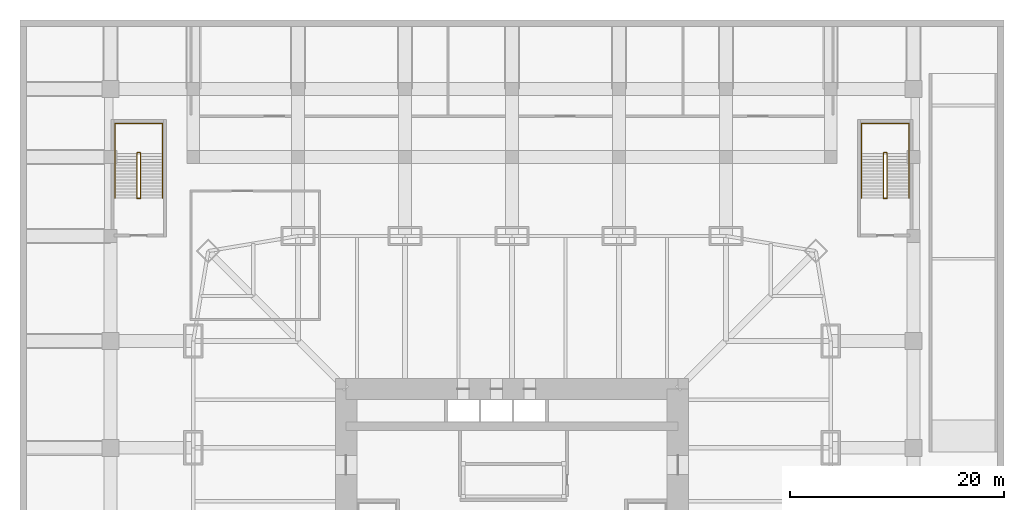
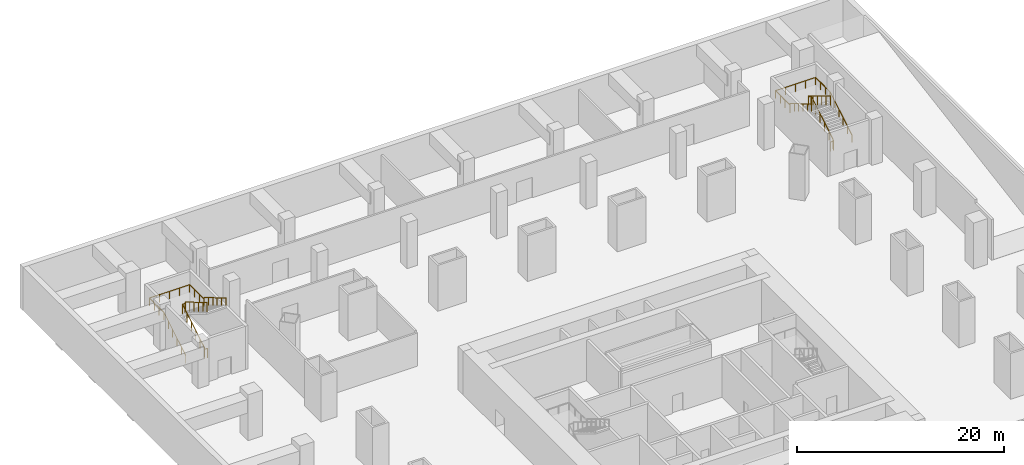
# One storey, part 12 of 12: 4 railings.
"""IFC4 building model written with IfcOpenShell, lengths in metres."""

import ifcopenshell
import ifcopenshell.guid

model = None  # the IFC model being written
_history = None  # IfcOwnerHistory: only IFC2X3 demands one
_inside = {}  # id of a spatial element -> (the spatial element, [elements in it])
_under = {}  # id of a project, library or spatial element -> (it, [spatial elements below it])
_declared = {}  # id of a project -> (the project, [libraries it declares])
_typed = {}  # id of a type object -> (the type object, [elements of that type])
_made_of = {}  # id of a material, layer set ... -> (it, [elements and type objects made of it])


def new_model(schema):
    """Start an empty IFC model of exactly this schema.

    Asked for "IFC4X3", IfcOpenShell would pick the latest addendum, in which some entities
    have other attributes; the version numbers below select the first issue.
    IFC2X3 requires an IfcOwnerHistory on every rooted entity: one is made here for all.
    """
    global model, _history
    if schema == "IFC4X3":
        model = ifcopenshell.file(schema_version=(4, 3, 0, 0))
    else:
        model = ifcopenshell.file(schema=schema)
    _inside.clear()
    _under.clear()
    _declared.clear()
    _typed.clear()
    _made_of.clear()
    _history = None
    if model.schema == "IFC2X3":
        org = make("IfcOrganization", Name="unknown")
        user = make(
            "IfcPersonAndOrganization",
            ThePerson=make("IfcPerson", FamilyName="unknown"),
            TheOrganization=org,
        )
        app = make(
            "IfcApplication",
            ApplicationDeveloper=org,
            Version="unknown",
            ApplicationFullName="unknown",
            ApplicationIdentifier="unknown",
        )
        _history = make(
            "IfcOwnerHistory",
            OwningUser=user,
            OwningApplication=app,
            ChangeAction="ADDED",
            CreationDate=0,
        )
    return model


def make(cls, **values):
    """One entity of the class cls with the attributes given. An attribute that is None is left unset."""
    return model.create_entity(
        cls, **{name: value for name, value in values.items() if value is not None}
    )


def rooted(cls, **values):
    """An entity with a GlobalId (a new one), such as an element, a storey or a relation."""
    return make(cls, GlobalId=ifcopenshell.guid.new(), OwnerHistory=_history, **values)


def si_unit(unit_type, name, prefix=None):
    """IfcSIUnit, for example si_unit("LENGTHUNIT", "METRE", prefix="MILLI")."""
    return make("IfcSIUnit", UnitType=unit_type, Prefix=prefix, Name=name)


def assignment(units):
    """IfcUnitAssignment: the units of a project."""
    return None if units is None else make("IfcUnitAssignment", Units=units)


def point(xyz):
    """IfcCartesianPoint."""
    return None if xyz is None else make("IfcCartesianPoint", Coordinates=xyz)


def direction(xyz):
    """IfcDirection."""
    return None if xyz is None else make("IfcDirection", DirectionRatios=xyz)


def frame(location, z_axis=None, x_axis=None):
    """IfcAxis2Placement3D, a coordinate frame: its origin and axes. An axis left out is left unset."""
    return make(
        "IfcAxis2Placement3D",
        Location=point(location),
        Axis=direction(z_axis),
        RefDirection=direction(x_axis),
    )


def frame_2d(location, x_axis=None):
    """IfcAxis2Placement2D, a coordinate frame in the plane: its origin and x axis."""
    return make(
        "IfcAxis2Placement2D", Location=point(location), RefDirection=direction(x_axis)
    )


def origin():
    """The frame at (0, 0, 0) with its axes left unset."""
    return frame((0.0, 0.0, 0.0))


def origin_2d():
    """The frame at (0, 0) in the plane with its x axis left unset."""
    return frame_2d((0.0, 0.0))


def place(relative_to, where):
    """IfcLocalPlacement: puts the frame where relative to a parent placement (None: the world)."""
    return make(
        "IfcLocalPlacement", PlacementRelTo=relative_to, RelativePlacement=where
    )


def context(
    kind, dimensions, precision=None, world=None, true_north=None, identifier=None
):
    """IfcGeometricRepresentationContext, for example the 3D "Model" context."""
    return make(
        "IfcGeometricRepresentationContext",
        ContextIdentifier=identifier,
        ContextType=kind,
        CoordinateSpaceDimension=dimensions,
        Precision=precision,
        WorldCoordinateSystem=world,
        TrueNorth=true_north,
    )


def subcontext(parent, identifier, kind, view, scale=None):
    """IfcGeometricRepresentationSubContext, for example "Body" below "Model"."""
    return make(
        "IfcGeometricRepresentationSubContext",
        ContextIdentifier=identifier,
        ContextType=kind,
        ParentContext=parent,
        TargetScale=scale,
        TargetView=view,
    )


def project(units=None, contexts=None):
    """IfcProject with its units and contexts."""
    return rooted(
        "IfcProject",
        Name="project",
        RepresentationContexts=contexts,
        UnitsInContext=assignment(units),
    )


def spatial(cls, under=None, at=None, **own):
    """A site, building, storey or space (cls), placed at a placement, below another one or the project."""
    s = rooted(cls, ObjectPlacement=at, **own)
    if under is not None:
        _under.setdefault(under.id(), (under, []))[1].append(s)
    return s


def profile(cls, at=None, kind="AREA", **sizes):
    """A parametric profile (cls). Its sizes go by their IFC names, for example OverallWidth=200.0."""
    return make(cls, ProfileType=kind, Position=at, **sizes)


def circle(**sizes):
    """IfcCircleProfileDef."""
    return profile("IfcCircleProfileDef", **sizes)


def extrude(swept, where, along, depth):
    """IfcExtrudedAreaSolid: the profile swept, set in the frame where, extruded along a direction by depth."""
    return make(
        "IfcExtrudedAreaSolid",
        SweptArea=swept,
        Position=where,
        ExtrudedDirection=direction(along),
        Depth=depth,
    )


def shape(context_of_items, identifier, shape_type, items):
    """IfcShapeRepresentation: the items that make up one representation, for example the "Body"."""
    return make(
        "IfcShapeRepresentation",
        ContextOfItems=context_of_items,
        RepresentationIdentifier=identifier,
        RepresentationType=shape_type,
        Items=items,
    )


def material(Name=None, Category=None):
    """IfcMaterial."""
    return make("IfcMaterial", Name=Name, Category=Category)


def made_of(thing, what):
    """Note that an element or type object is made of a material, layer set ...; save() writes the relation."""
    if what is not None:
        _made_of.setdefault(what.id(), (what, []))[1].append(thing)
    return thing


def type_object(cls, material=None, **own):
    """A type object (cls), such as IfcWallType, which elements share."""
    return made_of(rooted(cls, **own), material)


def element(
    cls,
    number,
    at=None,
    inside=None,
    cuts=None,
    type_object=None,
    material=None,
    context=None,
    identifier="Body",
    shape_type=None,
    held_by="IfcProductDefinitionShape",
    body=None,
    shapes=None,
    **own,
):
    """One element of the class cls, such as IfcWall. Its Tag is "e" and its number.

    at: its placement. inside: the storey or other place that contains it. cuts: it is an
    opening in that element (IfcRelVoidsElement). A single representation is given by context,
    identifier, shape_type and body (its items); several are given by shapes. held_by: the class
    of the entity that holds the representations. save() writes the other relations.
    """
    e = rooted(cls, Tag="e%d" % number, ObjectPlacement=at, **own)
    if body is not None:
        shapes = [shape(context, identifier, shape_type, body)]
    if shapes is not None:
        e.Representation = make(held_by, Representations=shapes)
    if inside is not None:
        _inside.setdefault(inside.id(), (inside, []))[1].append(e)
    if cuts is not None:
        rooted(
            "IfcRelVoidsElement", RelatingBuildingElement=cuts, RelatedOpeningElement=e
        )
    if type_object is not None:
        _typed.setdefault(type_object.id(), (type_object, []))[1].append(e)
    return made_of(e, material)


def aggregate(whole, parts):
    """IfcRelAggregates: a whole, such as a stair, and the parts it consists of."""
    return rooted("IfcRelAggregates", RelatingObject=whole, RelatedObjects=parts)


def save(model, path):
    """Write the relations noted so far, then the file.

    IfcRelAggregates (storeys below a building ...), IfcRelContainedInSpatialStructure (elements
    in a storey), IfcRelDefinesByType, IfcRelAssociatesMaterial and IfcRelDeclares: one each for
    every whole, place, type object, material and project.
    """
    for whole, parts in _under.values():
        aggregate(whole, parts)
    for where, things in _inside.values():
        rooted(
            "IfcRelContainedInSpatialStructure",
            RelatedElements=things,
            RelatingStructure=where,
        )
    for kind, things in _typed.values():
        rooted("IfcRelDefinesByType", RelatedObjects=things, RelatingType=kind)
    for what, things in _made_of.values():
        rooted("IfcRelAssociatesMaterial", RelatedObjects=things, RelatingMaterial=what)
    for by, libraries in _declared.values():
        rooted("IfcRelDeclares", RelatingContext=by, RelatedDefinitions=libraries)
    model.write(path)


model = new_model("IFC4")

# Units and contexts
model_context = context("Model", 3, precision=1e-05, world=origin(), true_north=direction((0.0, 1.0)))
body_context = subcontext(model_context, "Body", "Model", "MODEL_VIEW")
ifc_project = project(units=[si_unit("LENGTHUNIT", "METRE"), si_unit("AREAUNIT", "SQUARE_METRE"), si_unit("VOLUMEUNIT", "CUBIC_METRE"), si_unit("PLANEANGLEUNIT", "RADIAN"), si_unit("MASSUNIT", "GRAM", prefix="KILO")], contexts=[model_context])

# Site, building, storey
site_placement = place(None, origin())
site = spatial("IfcSite", under=ifc_project, at=site_placement, CompositionType="ELEMENT")
building_placement = place(site_placement, origin())
building = spatial("IfcBuilding", under=site, at=building_placement, Name="Khuree Lantern Residences", CompositionType="ELEMENT")
storey_placement = place(building_placement, frame((0.0, 0.0, -5.39990234375)))
storey = spatial("IfcBuildingStorey", under=building, at=storey_placement, Name="B1", CompositionType="ELEMENT", Elevation=-5.39990234375)

# Railings
ifc_material = material(Name="Steel S355", Category="steel")
railing_type_1 = type_object("IfcRailingType", Name="STAIR GUARD G1 1100", PredefinedType="GUARDRAIL", material=ifc_material)
railing_1_placement = place(storey_placement, frame((-34.75, 33.2900390625, 0.0)))
element("IfcRailing", 1, at=railing_1_placement, inside=storey, type_object=railing_type_1, Name="Stair ST3 guard", PredefinedType="GUARDRAIL", context=body_context, shape_type="SweptSolid", body=[
    extrude(circle(Radius=0.02392578125, at=origin_2d()), frame((0.0, 0.0, 1.076171875), z_axis=(-1.0, 0.0, 0.0), x_axis=(0.0, -1.0, 0.0)), (0.0, 0.0, 1.0), 0.300048828125),
    extrude(circle(Radius=0.02392578125, at=origin_2d()), frame((-0.300048828125, 0.0, 1.076171875), z_axis=(0.0, 0.284418981683, 0.958700079722), x_axis=(-1.0, 0.0, 0.0)), (0.0, 0.0, 1.0), 0.176025390625),
    extrude(circle(Radius=0.02392578125, at=origin_2d()), frame((-0.300048828125, 0.050048828125, 1.24462890625), z_axis=(0.0, 0.856476492594, 0.516186030065), x_axis=(-1.0, 0.0, 0.0)), (0.0, 0.0, 1.0), 4.90380859375),
    extrude(circle(Radius=0.02392578125, at=origin_2d()), frame((-0.300048828125, 4.25, 3.77587890625), z_axis=(0.0, 1.0, 0.0), x_axis=(-1.0, 0.0, 0.0)), (0.0, 0.0, 1.0), 0.050048828125),
    extrude(circle(Radius=0.02392578125, at=origin_2d()), frame((-0.300048828125, 4.300048828125, 3.77587890625), z_axis=(1.0, 0.0, 0.0), x_axis=(0.0, 1.0, 0.0)), (0.0, 0.0, 1.0), 0.300048828125),
    extrude(circle(Radius=0.02392578125, at=origin_2d()), frame((0.0, 4.300048828125, 3.77587890625), z_axis=(0.0, -0.284418981683, 0.958700079722), x_axis=(1.0, 0.0, 0.0)), (0.0, 0.0, 1.0), 0.176025390625),
    extrude(circle(Radius=0.02392578125, at=origin_2d()), frame((0.0, 4.25, 3.94482421875), z_axis=(0.0, -0.856476492594, 0.516186030065), x_axis=(1.0, 0.0, 0.0)), (0.0, 0.0, 1.0), 4.90380859375),
    extrude(circle(Radius=0.02099609375, at=origin_2d()), origin(), (0.0, 0.0, 1.0), 1.052001953125),
    extrude(circle(Radius=0.02099609375, at=origin_2d()), frame((-0.300048828125, 0.0, 0.0)), (0.0, 0.0, 1.0), 1.052001953125),
    extrude(circle(Radius=0.02099609375, at=origin_2d()), frame((-0.300048828125, 0.050048828125, 0.168701171875)), (0.0, 0.0, 1.0), 1.052001953125),
    extrude(circle(Radius=0.02099609375, at=origin_2d()), frame((-0.300048828125, 0.89013671875, 0.675048828125)), (0.0, 0.0, 1.0), 1.052001953125),
    extrude(circle(Radius=0.02099609375, at=origin_2d()), frame((-0.300048828125, 1.72998046875, 1.18115234375)), (0.0, 0.0, 1.0), 1.052001953125),
    extrude(circle(Radius=0.02099609375, at=origin_2d()), frame((-0.300048828125, 2.570068359375, 1.6875)), (0.0, 0.0, 1.0), 1.052001953125),
    extrude(circle(Radius=0.02099609375, at=origin_2d()), frame((-0.300048828125, 3.409912109375, 2.193603515625)), (0.0, 0.0, 1.0), 1.052001953125),
    extrude(circle(Radius=0.02099609375, at=origin_2d()), frame((-0.300048828125, 4.25, 2.699951171875)), (0.0, 0.0, 1.0), 1.052001953125),
    extrude(circle(Radius=0.02099609375, at=origin_2d()), frame((-0.300048828125, 4.300048828125, 2.699951171875)), (0.0, 0.0, 1.0), 1.052001953125),
    extrude(circle(Radius=0.02099609375, at=origin_2d()), frame((0.0, 4.300048828125, 2.699951171875)), (0.0, 0.0, 1.0), 1.052001953125),
    extrude(circle(Radius=0.02099609375, at=origin_2d()), frame((0.0, 4.25, 2.86865234375)), (0.0, 0.0, 1.0), 1.052001953125),
    extrude(circle(Radius=0.02099609375, at=origin_2d()), frame((0.0, 3.409912109375, 3.375)), (0.0, 0.0, 1.0), 1.052001953125),
    extrude(circle(Radius=0.02099609375, at=origin_2d()), frame((0.0, 2.570068359375, 3.881103515625)), (0.0, 0.0, 1.0), 1.052001953125),
    extrude(circle(Radius=0.02099609375, at=origin_2d()), frame((0.0, 1.72998046875, 4.387451171875)), (0.0, 0.0, 1.0), 1.052001953125),
    extrude(circle(Radius=0.02099609375, at=origin_2d()), frame((0.0, 0.89013671875, 4.8935546875)), (0.0, 0.0, 1.0), 1.052001953125),
    extrude(circle(Radius=0.02099609375, at=origin_2d()), frame((0.0, 0.050048828125, 5.39990234375)), (0.0, 0.0, 1.0), 1.052001953125),
])
railing_2_placement = place(storey_placement, frame((34.75, 33.2900390625, 0.0)))
element("IfcRailing", 2, at=railing_2_placement, inside=storey, type_object=railing_type_1, Name="Stair ST4 guard", PredefinedType="GUARDRAIL", context=body_context, shape_type="SweptSolid", body=[
    extrude(circle(Radius=0.02392578125, at=origin_2d()), frame((0.0, 0.0, 1.076171875), z_axis=(1.0, 0.0, 0.0), x_axis=(0.0, 1.0, 0.0)), (0.0, 0.0, 1.0), 0.300048828125),
    extrude(circle(Radius=0.02392578125, at=origin_2d()), frame((0.300048828125, 0.0, 1.076171875), z_axis=(0.0, 0.284418981683, 0.958700079722), x_axis=(-1.0, 0.0, 0.0)), (0.0, 0.0, 1.0), 0.176025390625),
    extrude(circle(Radius=0.02392578125, at=origin_2d()), frame((0.300048828125, 0.050048828125, 1.24462890625), z_axis=(0.0, 0.856476492594, 0.516186030065), x_axis=(-1.0, 0.0, 0.0)), (0.0, 0.0, 1.0), 4.90380859375),
    extrude(circle(Radius=0.02392578125, at=origin_2d()), frame((0.300048828125, 4.25, 3.77587890625), z_axis=(0.0, 1.0, 0.0), x_axis=(-1.0, 0.0, 0.0)), (0.0, 0.0, 1.0), 0.050048828125),
    extrude(circle(Radius=0.02392578125, at=origin_2d()), frame((0.300048828125, 4.300048828125, 3.77587890625), z_axis=(-1.0, 0.0, 0.0), x_axis=(0.0, -1.0, 0.0)), (0.0, 0.0, 1.0), 0.300048828125),
    extrude(circle(Radius=0.02392578125, at=origin_2d()), frame((0.0, 4.300048828125, 3.77587890625), z_axis=(0.0, -0.284418981683, 0.958700079722), x_axis=(1.0, 0.0, 0.0)), (0.0, 0.0, 1.0), 0.176025390625),
    extrude(circle(Radius=0.02392578125, at=origin_2d()), frame((0.0, 4.25, 3.94482421875), z_axis=(0.0, -0.856476492594, 0.516186030065), x_axis=(1.0, 0.0, 0.0)), (0.0, 0.0, 1.0), 4.90380859375),
    extrude(circle(Radius=0.02099609375, at=origin_2d()), origin(), (0.0, 0.0, 1.0), 1.052001953125),
    extrude(circle(Radius=0.02099609375, at=origin_2d()), frame((0.300048828125, 0.0, 0.0)), (0.0, 0.0, 1.0), 1.052001953125),
    extrude(circle(Radius=0.02099609375, at=origin_2d()), frame((0.300048828125, 0.050048828125, 0.168701171875)), (0.0, 0.0, 1.0), 1.052001953125),
    extrude(circle(Radius=0.02099609375, at=origin_2d()), frame((0.300048828125, 0.89013671875, 0.675048828125)), (0.0, 0.0, 1.0), 1.052001953125),
    extrude(circle(Radius=0.02099609375, at=origin_2d()), frame((0.300048828125, 1.72998046875, 1.18115234375)), (0.0, 0.0, 1.0), 1.052001953125),
    extrude(circle(Radius=0.02099609375, at=origin_2d()), frame((0.300048828125, 2.570068359375, 1.6875)), (0.0, 0.0, 1.0), 1.052001953125),
    extrude(circle(Radius=0.02099609375, at=origin_2d()), frame((0.300048828125, 3.409912109375, 2.193603515625)), (0.0, 0.0, 1.0), 1.052001953125),
    extrude(circle(Radius=0.02099609375, at=origin_2d()), frame((0.300048828125, 4.25, 2.699951171875)), (0.0, 0.0, 1.0), 1.052001953125),
    extrude(circle(Radius=0.02099609375, at=origin_2d()), frame((0.300048828125, 4.300048828125, 2.699951171875)), (0.0, 0.0, 1.0), 1.052001953125),
    extrude(circle(Radius=0.02099609375, at=origin_2d()), frame((0.0, 4.300048828125, 2.699951171875)), (0.0, 0.0, 1.0), 1.052001953125),
    extrude(circle(Radius=0.02099609375, at=origin_2d()), frame((0.0, 4.25, 2.86865234375)), (0.0, 0.0, 1.0), 1.052001953125),
    extrude(circle(Radius=0.02099609375, at=origin_2d()), frame((0.0, 3.409912109375, 3.375)), (0.0, 0.0, 1.0), 1.052001953125),
    extrude(circle(Radius=0.02099609375, at=origin_2d()), frame((0.0, 2.570068359375, 3.881103515625)), (0.0, 0.0, 1.0), 1.052001953125),
    extrude(circle(Radius=0.02099609375, at=origin_2d()), frame((0.0, 1.72998046875, 4.387451171875)), (0.0, 0.0, 1.0), 1.052001953125),
    extrude(circle(Radius=0.02099609375, at=origin_2d()), frame((0.0, 0.89013671875, 4.8935546875)), (0.0, 0.0, 1.0), 1.052001953125),
    extrude(circle(Radius=0.02099609375, at=origin_2d()), frame((0.0, 0.050048828125, 5.39990234375)), (0.0, 0.0, 1.0), 1.052001953125),
])
railing_type_2 = type_object("IfcRailingType", Name="STAIR HANDRAIL H1 900", PredefinedType="HANDRAIL", material=ifc_material)
railing_3_placement = place(storey_placement, frame((-37.139892578125, 33.340087890625, 0.168701171875)))
element("IfcRailing", 3, at=railing_3_placement, inside=storey, type_object=railing_type_2, Name="Stair ST3 handrail", PredefinedType="HANDRAIL", context=body_context, shape_type="SweptSolid", body=[
    extrude(circle(Radius=0.02392578125, at=origin_2d()), frame((0.0, 0.0, 0.8759765625), z_axis=(0.0, 0.856476492594, 0.516186030065), x_axis=(-1.0, 0.0, 0.0)), (0.0, 0.0, 1.0), 4.90380859375),
    extrude(circle(Radius=0.02392578125, at=origin_2d()), frame((0.0, 4.199951171875, 3.4072265625), z_axis=(0.0, 1.0, 0.0), x_axis=(-1.0, 0.0, 0.0)), (0.0, 0.0, 1.0), 2.800048828125),
    extrude(circle(Radius=0.02392578125, at=origin_2d()), frame((0.0, 7.0, 3.4072265625), z_axis=(1.0, 0.0, 0.0), x_axis=(0.0, 1.0, 0.0)), (0.0, 0.0, 1.0), 4.47998046875),
    extrude(circle(Radius=0.02392578125, at=origin_2d()), frame((4.47998046875, 7.0, 3.4072265625), z_axis=(0.0, -1.0, 0.0), x_axis=(1.0, 0.0, 0.0)), (0.0, 0.0, 1.0), 2.800048828125),
    extrude(circle(Radius=0.02392578125, at=origin_2d()), frame((4.47998046875, 4.199951171875, 3.4072265625), z_axis=(0.0, 0.0, 1.0), x_axis=(1.0, 0.0, 0.0)), (0.0, 0.0, 1.0), 0.168701171875),
    extrude(circle(Radius=0.02392578125, at=origin_2d()), frame((4.47998046875, 4.199951171875, 3.57568359375), z_axis=(0.0, -0.856476492594, 0.516186030065), x_axis=(1.0, 0.0, 0.0)), (0.0, 0.0, 1.0), 4.90380859375),
    extrude(circle(Radius=0.02099609375, at=origin_2d()), origin(), (0.0, 0.0, 1.0), 0.851806640625),
    extrude(circle(Radius=0.02099609375, at=origin_2d()), frame((0.0, 0.840087890625, 0.50634765625)), (0.0, 0.0, 1.0), 0.851806640625),
    extrude(circle(Radius=0.02099609375, at=origin_2d()), frame((0.0, 1.679931640625, 1.012451171875)), (0.0, 0.0, 1.0), 0.851806640625),
    extrude(circle(Radius=0.02099609375, at=origin_2d()), frame((0.0, 2.52001953125, 1.518798828125)), (0.0, 0.0, 1.0), 0.851806640625),
    extrude(circle(Radius=0.02099609375, at=origin_2d()), frame((0.0, 3.35986328125, 2.02490234375)), (0.0, 0.0, 1.0), 0.851806640625),
    extrude(circle(Radius=0.02099609375, at=origin_2d()), frame((0.0, 4.199951171875, 2.53125)), (0.0, 0.0, 1.0), 0.851806640625),
    extrude(circle(Radius=0.02099609375, at=origin_2d()), frame((0.0, 5.13330078125, 2.53125)), (0.0, 0.0, 1.0), 0.851806640625),
    extrude(circle(Radius=0.02099609375, at=origin_2d()), frame((0.0, 6.066650390625, 2.53125)), (0.0, 0.0, 1.0), 0.851806640625),
    extrude(circle(Radius=0.02099609375, at=origin_2d()), frame((0.0, 7.0, 2.53125)), (0.0, 0.0, 1.0), 0.851806640625),
    extrude(circle(Radius=0.02099609375, at=origin_2d()), frame((1.1201171875, 7.0, 2.53125)), (0.0, 0.0, 1.0), 0.851806640625),
    extrude(circle(Radius=0.02099609375, at=origin_2d()), frame((2.239990234375, 7.0, 2.53125)), (0.0, 0.0, 1.0), 0.851806640625),
    extrude(circle(Radius=0.02099609375, at=origin_2d()), frame((3.35986328125, 7.0, 2.53125)), (0.0, 0.0, 1.0), 0.851806640625),
    extrude(circle(Radius=0.02099609375, at=origin_2d()), frame((4.47998046875, 7.0, 2.53125)), (0.0, 0.0, 1.0), 0.851806640625),
    extrude(circle(Radius=0.02099609375, at=origin_2d()), frame((4.47998046875, 6.066650390625, 2.53125)), (0.0, 0.0, 1.0), 0.851806640625),
    extrude(circle(Radius=0.02099609375, at=origin_2d()), frame((4.47998046875, 5.13330078125, 2.53125)), (0.0, 0.0, 1.0), 0.851806640625),
    extrude(circle(Radius=0.02099609375, at=origin_2d()), frame((4.47998046875, 4.199951171875, 2.53125)), (0.0, 0.0, 1.0), 0.851806640625),
    extrude(circle(Radius=0.02099609375, at=origin_2d()), frame((4.47998046875, 4.199951171875, 2.699951171875)), (0.0, 0.0, 1.0), 0.851806640625),
    extrude(circle(Radius=0.02099609375, at=origin_2d()), frame((4.47998046875, 3.35986328125, 3.206298828125)), (0.0, 0.0, 1.0), 0.851806640625),
    extrude(circle(Radius=0.02099609375, at=origin_2d()), frame((4.47998046875, 2.52001953125, 3.71240234375)), (0.0, 0.0, 1.0), 0.851806640625),
    extrude(circle(Radius=0.02099609375, at=origin_2d()), frame((4.47998046875, 1.679931640625, 4.21875)), (0.0, 0.0, 1.0), 0.851806640625),
    extrude(circle(Radius=0.02099609375, at=origin_2d()), frame((4.47998046875, 0.840087890625, 4.724853515625)), (0.0, 0.0, 1.0), 0.851806640625),
    extrude(circle(Radius=0.02099609375, at=origin_2d()), frame((4.47998046875, 0.0, 5.231201171875)), (0.0, 0.0, 1.0), 0.851806640625),
])
railing_4_placement = place(storey_placement, frame((37.139892578125, 33.340087890625, 0.168701171875)))
element("IfcRailing", 4, at=railing_4_placement, inside=storey, type_object=railing_type_2, Name="Stair ST4 handrail", PredefinedType="HANDRAIL", context=body_context, shape_type="SweptSolid", body=[
    extrude(circle(Radius=0.02392578125, at=origin_2d()), frame((0.0, 0.0, 0.8759765625), z_axis=(0.0, 0.856476492594, 0.516186030065), x_axis=(-1.0, 0.0, 0.0)), (0.0, 0.0, 1.0), 4.90380859375),
    extrude(circle(Radius=0.02392578125, at=origin_2d()), frame((0.0, 4.199951171875, 3.4072265625), z_axis=(0.0, 1.0, 0.0), x_axis=(-1.0, 0.0, 0.0)), (0.0, 0.0, 1.0), 2.800048828125),
    extrude(circle(Radius=0.02392578125, at=origin_2d()), frame((0.0, 7.0, 3.4072265625), z_axis=(-1.0, 0.0, 0.0), x_axis=(0.0, -1.0, 0.0)), (0.0, 0.0, 1.0), 4.47998046875),
    extrude(circle(Radius=0.02392578125, at=origin_2d()), frame((-4.47998046875, 7.0, 3.4072265625), z_axis=(0.0, -1.0, 0.0), x_axis=(1.0, 0.0, 0.0)), (0.0, 0.0, 1.0), 2.800048828125),
    extrude(circle(Radius=0.02392578125, at=origin_2d()), frame((-4.47998046875, 4.199951171875, 3.4072265625), z_axis=(0.0, 0.0, 1.0), x_axis=(1.0, 0.0, 0.0)), (0.0, 0.0, 1.0), 0.168701171875),
    extrude(circle(Radius=0.02392578125, at=origin_2d()), frame((-4.47998046875, 4.199951171875, 3.57568359375), z_axis=(0.0, -0.856476492594, 0.516186030065), x_axis=(1.0, 0.0, 0.0)), (0.0, 0.0, 1.0), 4.90380859375),
    extrude(circle(Radius=0.02099609375, at=origin_2d()), origin(), (0.0, 0.0, 1.0), 0.851806640625),
    extrude(circle(Radius=0.02099609375, at=origin_2d()), frame((0.0, 0.840087890625, 0.50634765625)), (0.0, 0.0, 1.0), 0.851806640625),
    extrude(circle(Radius=0.02099609375, at=origin_2d()), frame((0.0, 1.679931640625, 1.012451171875)), (0.0, 0.0, 1.0), 0.851806640625),
    extrude(circle(Radius=0.02099609375, at=origin_2d()), frame((0.0, 2.52001953125, 1.518798828125)), (0.0, 0.0, 1.0), 0.851806640625),
    extrude(circle(Radius=0.02099609375, at=origin_2d()), frame((0.0, 3.35986328125, 2.02490234375)), (0.0, 0.0, 1.0), 0.851806640625),
    extrude(circle(Radius=0.02099609375, at=origin_2d()), frame((0.0, 4.199951171875, 2.53125)), (0.0, 0.0, 1.0), 0.851806640625),
    extrude(circle(Radius=0.02099609375, at=origin_2d()), frame((0.0, 5.13330078125, 2.53125)), (0.0, 0.0, 1.0), 0.851806640625),
    extrude(circle(Radius=0.02099609375, at=origin_2d()), frame((0.0, 6.066650390625, 2.53125)), (0.0, 0.0, 1.0), 0.851806640625),
    extrude(circle(Radius=0.02099609375, at=origin_2d()), frame((0.0, 7.0, 2.53125)), (0.0, 0.0, 1.0), 0.851806640625),
    extrude(circle(Radius=0.02099609375, at=origin_2d()), frame((-1.1201171875, 7.0, 2.53125)), (0.0, 0.0, 1.0), 0.851806640625),
    extrude(circle(Radius=0.02099609375, at=origin_2d()), frame((-2.239990234375, 7.0, 2.53125)), (0.0, 0.0, 1.0), 0.851806640625),
    extrude(circle(Radius=0.02099609375, at=origin_2d()), frame((-3.35986328125, 7.0, 2.53125)), (0.0, 0.0, 1.0), 0.851806640625),
    extrude(circle(Radius=0.02099609375, at=origin_2d()), frame((-4.47998046875, 7.0, 2.53125)), (0.0, 0.0, 1.0), 0.851806640625),
    extrude(circle(Radius=0.02099609375, at=origin_2d()), frame((-4.47998046875, 6.066650390625, 2.53125)), (0.0, 0.0, 1.0), 0.851806640625),
    extrude(circle(Radius=0.02099609375, at=origin_2d()), frame((-4.47998046875, 5.13330078125, 2.53125)), (0.0, 0.0, 1.0), 0.851806640625),
    extrude(circle(Radius=0.02099609375, at=origin_2d()), frame((-4.47998046875, 4.199951171875, 2.53125)), (0.0, 0.0, 1.0), 0.851806640625),
    extrude(circle(Radius=0.02099609375, at=origin_2d()), frame((-4.47998046875, 4.199951171875, 2.699951171875)), (0.0, 0.0, 1.0), 0.851806640625),
    extrude(circle(Radius=0.02099609375, at=origin_2d()), frame((-4.47998046875, 3.35986328125, 3.206298828125)), (0.0, 0.0, 1.0), 0.851806640625),
    extrude(circle(Radius=0.02099609375, at=origin_2d()), frame((-4.47998046875, 2.52001953125, 3.71240234375)), (0.0, 0.0, 1.0), 0.851806640625),
    extrude(circle(Radius=0.02099609375, at=origin_2d()), frame((-4.47998046875, 1.679931640625, 4.21875)), (0.0, 0.0, 1.0), 0.851806640625),
    extrude(circle(Radius=0.02099609375, at=origin_2d()), frame((-4.47998046875, 0.840087890625, 4.724853515625)), (0.0, 0.0, 1.0), 0.851806640625),
    extrude(circle(Radius=0.02099609375, at=origin_2d()), frame((-4.47998046875, 0.0, 5.231201171875)), (0.0, 0.0, 1.0), 0.851806640625),
])

save(model, "model.ifc")
